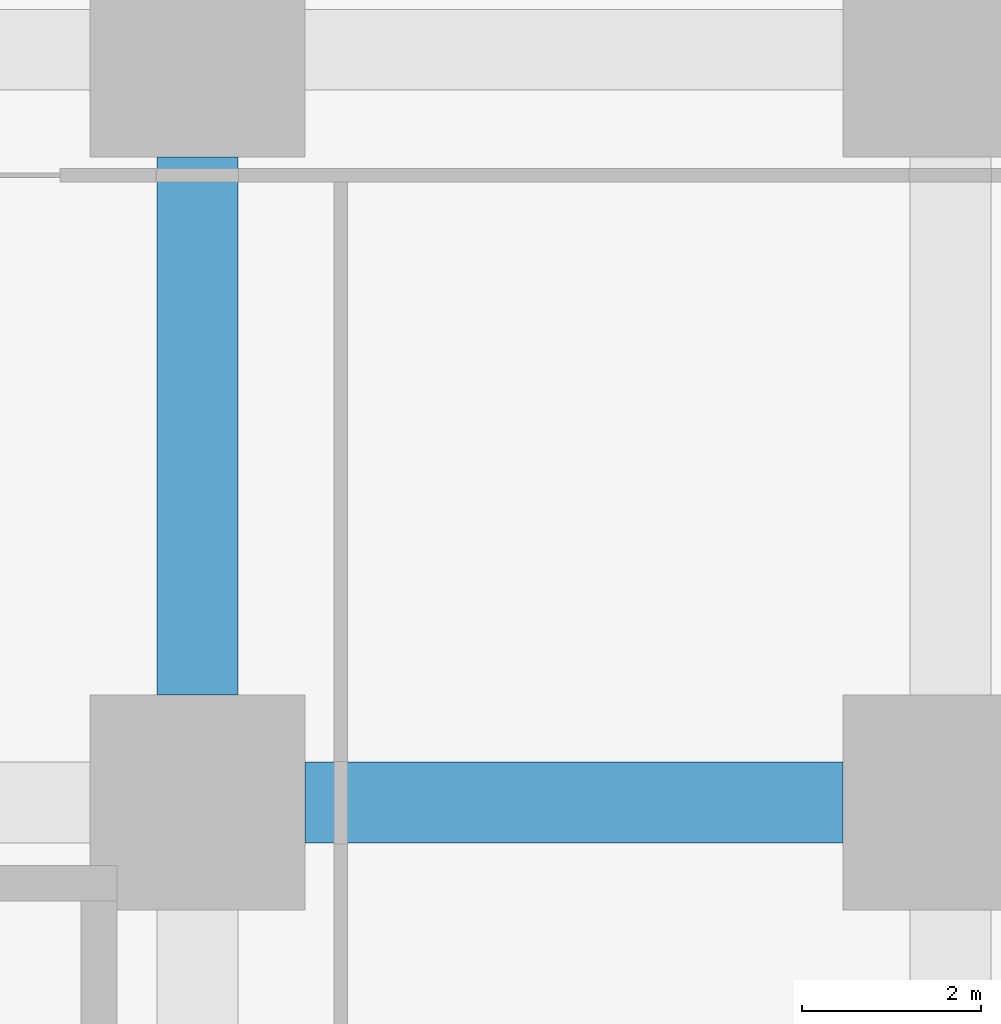
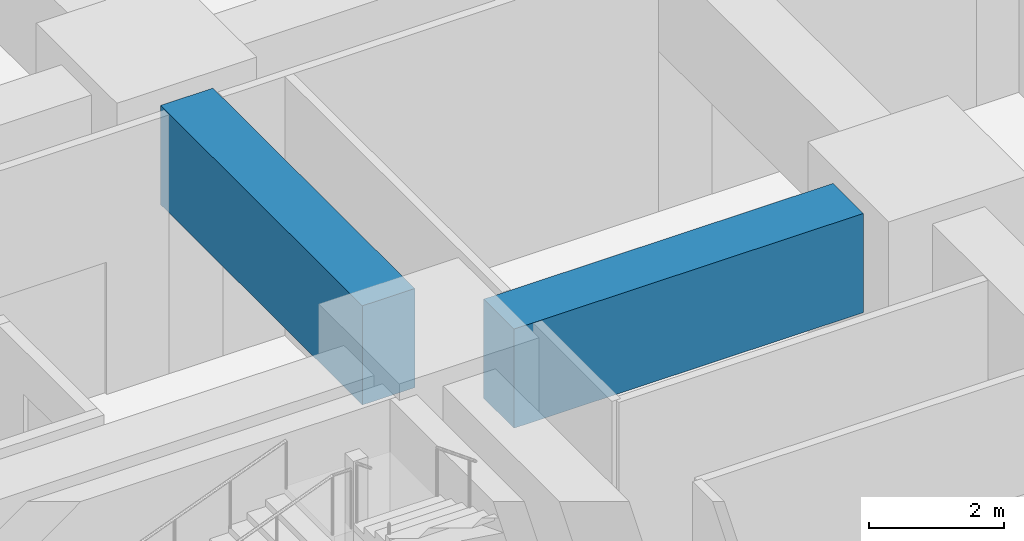
# One storey, part 18 of 49: 2 beams.
"""IFC4 building model written with IfcOpenShell, lengths in metres."""

import ifcopenshell
import ifcopenshell.guid

model = None  # the IFC model being written
_history = None  # IfcOwnerHistory: only IFC2X3 demands one
_inside = {}  # id of a spatial element -> (the spatial element, [elements in it])
_under = {}  # id of a project, library or spatial element -> (it, [spatial elements below it])
_declared = {}  # id of a project -> (the project, [libraries it declares])
_typed = {}  # id of a type object -> (the type object, [elements of that type])
_made_of = {}  # id of a material, layer set ... -> (it, [elements and type objects made of it])


def new_model(schema):
    """Start an empty IFC model of exactly this schema.

    Asked for "IFC4X3", IfcOpenShell would pick the latest addendum, in which some entities
    have other attributes; the version numbers below select the first issue.
    IFC2X3 requires an IfcOwnerHistory on every rooted entity: one is made here for all.
    """
    global model, _history
    if schema == "IFC4X3":
        model = ifcopenshell.file(schema_version=(4, 3, 0, 0))
    else:
        model = ifcopenshell.file(schema=schema)
    _inside.clear()
    _under.clear()
    _declared.clear()
    _typed.clear()
    _made_of.clear()
    _history = None
    if model.schema == "IFC2X3":
        org = make("IfcOrganization", Name="unknown")
        user = make(
            "IfcPersonAndOrganization",
            ThePerson=make("IfcPerson", FamilyName="unknown"),
            TheOrganization=org,
        )
        app = make(
            "IfcApplication",
            ApplicationDeveloper=org,
            Version="unknown",
            ApplicationFullName="unknown",
            ApplicationIdentifier="unknown",
        )
        _history = make(
            "IfcOwnerHistory",
            OwningUser=user,
            OwningApplication=app,
            ChangeAction="ADDED",
            CreationDate=0,
        )
    return model


def make(cls, **values):
    """One entity of the class cls with the attributes given. An attribute that is None is left unset."""
    return model.create_entity(
        cls, **{name: value for name, value in values.items() if value is not None}
    )


def rooted(cls, **values):
    """An entity with a GlobalId (a new one), such as an element, a storey or a relation."""
    return make(cls, GlobalId=ifcopenshell.guid.new(), OwnerHistory=_history, **values)


def si_unit(unit_type, name, prefix=None):
    """IfcSIUnit, for example si_unit("LENGTHUNIT", "METRE", prefix="MILLI")."""
    return make("IfcSIUnit", UnitType=unit_type, Prefix=prefix, Name=name)


def assignment(units):
    """IfcUnitAssignment: the units of a project."""
    return None if units is None else make("IfcUnitAssignment", Units=units)


def point(xyz):
    """IfcCartesianPoint."""
    return None if xyz is None else make("IfcCartesianPoint", Coordinates=xyz)


def direction(xyz):
    """IfcDirection."""
    return None if xyz is None else make("IfcDirection", DirectionRatios=xyz)


def frame(location, z_axis=None, x_axis=None):
    """IfcAxis2Placement3D, a coordinate frame: its origin and axes. An axis left out is left unset."""
    return make(
        "IfcAxis2Placement3D",
        Location=point(location),
        Axis=direction(z_axis),
        RefDirection=direction(x_axis),
    )


def frame_2d(location, x_axis=None):
    """IfcAxis2Placement2D, a coordinate frame in the plane: its origin and x axis."""
    return make(
        "IfcAxis2Placement2D", Location=point(location), RefDirection=direction(x_axis)
    )


def origin():
    """The frame at (0, 0, 0) with its axes left unset."""
    return frame((0.0, 0.0, 0.0))


def origin_2d():
    """The frame at (0, 0) in the plane with its x axis left unset."""
    return frame_2d((0.0, 0.0))


def place(relative_to, where):
    """IfcLocalPlacement: puts the frame where relative to a parent placement (None: the world)."""
    return make(
        "IfcLocalPlacement", PlacementRelTo=relative_to, RelativePlacement=where
    )


def context(
    kind, dimensions, precision=None, world=None, true_north=None, identifier=None
):
    """IfcGeometricRepresentationContext, for example the 3D "Model" context."""
    return make(
        "IfcGeometricRepresentationContext",
        ContextIdentifier=identifier,
        ContextType=kind,
        CoordinateSpaceDimension=dimensions,
        Precision=precision,
        WorldCoordinateSystem=world,
        TrueNorth=true_north,
    )


def subcontext(parent, identifier, kind, view, scale=None):
    """IfcGeometricRepresentationSubContext, for example "Body" below "Model"."""
    return make(
        "IfcGeometricRepresentationSubContext",
        ContextIdentifier=identifier,
        ContextType=kind,
        ParentContext=parent,
        TargetScale=scale,
        TargetView=view,
    )


def project(units=None, contexts=None):
    """IfcProject with its units and contexts."""
    return rooted(
        "IfcProject",
        Name="project",
        RepresentationContexts=contexts,
        UnitsInContext=assignment(units),
    )


def spatial(cls, under=None, at=None, **own):
    """A site, building, storey or space (cls), placed at a placement, below another one or the project."""
    s = rooted(cls, ObjectPlacement=at, **own)
    if under is not None:
        _under.setdefault(under.id(), (under, []))[1].append(s)
    return s


def profile(cls, at=None, kind="AREA", **sizes):
    """A parametric profile (cls). Its sizes go by their IFC names, for example OverallWidth=200.0."""
    return make(cls, ProfileType=kind, Position=at, **sizes)


def rectangle(**sizes):
    """IfcRectangleProfileDef."""
    return profile("IfcRectangleProfileDef", **sizes)


def extrude(swept, where, along, depth):
    """IfcExtrudedAreaSolid: the profile swept, set in the frame where, extruded along a direction by depth."""
    return make(
        "IfcExtrudedAreaSolid",
        SweptArea=swept,
        Position=where,
        ExtrudedDirection=direction(along),
        Depth=depth,
    )


def shape(context_of_items, identifier, shape_type, items):
    """IfcShapeRepresentation: the items that make up one representation, for example the "Body"."""
    return make(
        "IfcShapeRepresentation",
        ContextOfItems=context_of_items,
        RepresentationIdentifier=identifier,
        RepresentationType=shape_type,
        Items=items,
    )


def material(Name=None, Category=None):
    """IfcMaterial."""
    return make("IfcMaterial", Name=Name, Category=Category)


def material_profile(
    of_material, cross_section, Name=None, Category=None, Priority=None
):
    """IfcMaterialProfile: a cross section and its material."""
    return make(
        "IfcMaterialProfile",
        Name=Name,
        Material=of_material,
        Profile=cross_section,
        Priority=Priority,
        Category=Category,
    )


def profile_set(profiles, Name=None, composite=None):
    """IfcMaterialProfileSet."""
    return make(
        "IfcMaterialProfileSet",
        Name=Name,
        MaterialProfiles=profiles,
        CompositeProfile=composite,
    )


def made_of(thing, what):
    """Note that an element or type object is made of a material, layer set ...; save() writes the relation."""
    if what is not None:
        _made_of.setdefault(what.id(), (what, []))[1].append(thing)
    return thing


def type_object(cls, material=None, **own):
    """A type object (cls), such as IfcWallType, which elements share."""
    return made_of(rooted(cls, **own), material)


def element(
    cls,
    number,
    at=None,
    inside=None,
    cuts=None,
    type_object=None,
    material=None,
    context=None,
    identifier="Body",
    shape_type=None,
    held_by="IfcProductDefinitionShape",
    body=None,
    shapes=None,
    **own,
):
    """One element of the class cls, such as IfcWall. Its Tag is "e" and its number.

    at: its placement. inside: the storey or other place that contains it. cuts: it is an
    opening in that element (IfcRelVoidsElement). A single representation is given by context,
    identifier, shape_type and body (its items); several are given by shapes. held_by: the class
    of the entity that holds the representations. save() writes the other relations.
    """
    e = rooted(cls, Tag="e%d" % number, ObjectPlacement=at, **own)
    if body is not None:
        shapes = [shape(context, identifier, shape_type, body)]
    if shapes is not None:
        e.Representation = make(held_by, Representations=shapes)
    if inside is not None:
        _inside.setdefault(inside.id(), (inside, []))[1].append(e)
    if cuts is not None:
        rooted(
            "IfcRelVoidsElement", RelatingBuildingElement=cuts, RelatedOpeningElement=e
        )
    if type_object is not None:
        _typed.setdefault(type_object.id(), (type_object, []))[1].append(e)
    return made_of(e, material)


def aggregate(whole, parts):
    """IfcRelAggregates: a whole, such as a stair, and the parts it consists of."""
    return rooted("IfcRelAggregates", RelatingObject=whole, RelatedObjects=parts)


def save(model, path):
    """Write the relations noted so far, then the file.

    IfcRelAggregates (storeys below a building ...), IfcRelContainedInSpatialStructure (elements
    in a storey), IfcRelDefinesByType, IfcRelAssociatesMaterial and IfcRelDeclares: one each for
    every whole, place, type object, material and project.
    """
    for whole, parts in _under.values():
        aggregate(whole, parts)
    for where, things in _inside.values():
        rooted(
            "IfcRelContainedInSpatialStructure",
            RelatedElements=things,
            RelatingStructure=where,
        )
    for kind, things in _typed.values():
        rooted("IfcRelDefinesByType", RelatedObjects=things, RelatingType=kind)
    for what, things in _made_of.values():
        rooted("IfcRelAssociatesMaterial", RelatedObjects=things, RelatingMaterial=what)
    for by, libraries in _declared.values():
        rooted("IfcRelDeclares", RelatingContext=by, RelatedDefinitions=libraries)
    model.write(path)


model = new_model("IFC4")

# Units and contexts
model_context = context("Model", 3, precision=1e-05, world=origin(), true_north=direction((0.0, 1.0)))
body_context = subcontext(model_context, "Body", "Model", "MODEL_VIEW")
ifc_project = project(units=[si_unit("LENGTHUNIT", "METRE"), si_unit("AREAUNIT", "SQUARE_METRE"), si_unit("VOLUMEUNIT", "CUBIC_METRE"), si_unit("PLANEANGLEUNIT", "RADIAN"), si_unit("MASSUNIT", "GRAM", prefix="KILO")], contexts=[model_context])

# Site, building, storey
site_placement = place(None, origin())
site = spatial("IfcSite", under=ifc_project, at=site_placement, CompositionType="ELEMENT")
building_placement = place(site_placement, origin())
building = spatial("IfcBuilding", under=site, at=building_placement, Name="Rekha Terrace Tower", CompositionType="ELEMENT")
storey_placement = place(building_placement, frame((0.0, 0.0, 10.39990234375)))
storey = spatial("IfcBuildingStorey", under=building, at=storey_placement, Name="L02", CompositionType="ELEMENT", Elevation=10.39990234375)

# Beams
ifc_material = material(Name="Concrete M60", Category="concrete")
ifc_material_profile = material_profile(ifc_material, rectangle(XDim=0.89990234375, YDim=1.800048828125, at=origin_2d()), Name="RC 900x1800")
ifc_profile_set = profile_set([ifc_material_profile], Name="Concrete M60")
beam_type = type_object("IfcBeamType", Name="G1 900x1800 podium floor beam", PredefinedType="BEAM", material=ifc_profile_set)
for number, where, z_axis, x_axis, name in (
    (1, (9.60009765625, 33.60009765625, 3.800048828125), (1.0, 0.0, 0.0), (0.0, 1.0, 0.0), "Beam G1 2E-3E under L03"),
    (2, (8.39990234375, 34.800048828125, 3.800048828125), (0.0, 1.0, 0.0), (-1.0, 0.0, 0.0), "Beam G1 2E-2F under L03"),
):
    element("IfcBeam", number, at=place(storey_placement, frame(where, z_axis=z_axis, x_axis=x_axis)), inside=storey, type_object=beam_type, Name=name, PredefinedType="BEAM", context=body_context, shape_type="SweptSolid", body=[
        extrude(rectangle(XDim=0.89990234375, YDim=1.800048828125, at=origin_2d()), origin(), (0.0, 0.0, 1.0), 6.0),
    ])

save(model, "model.ifc")
